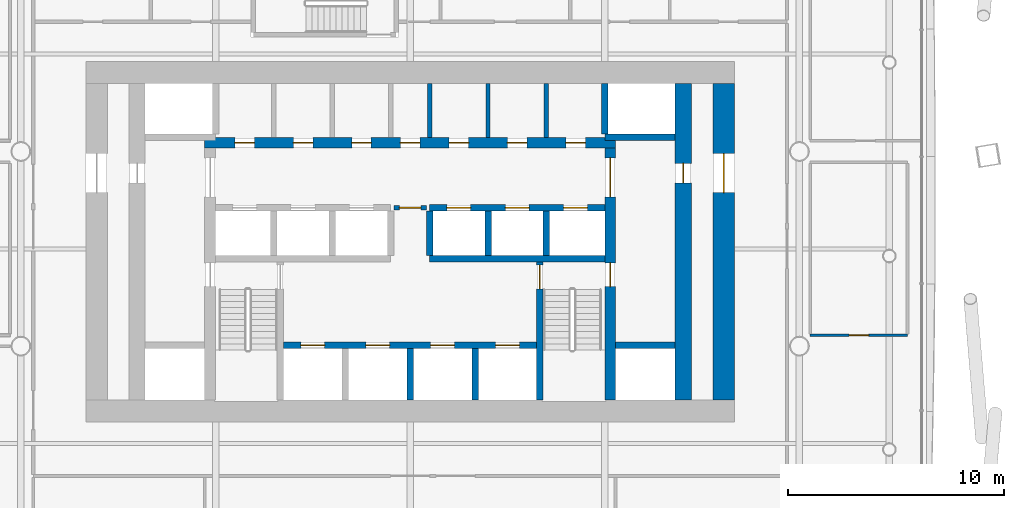
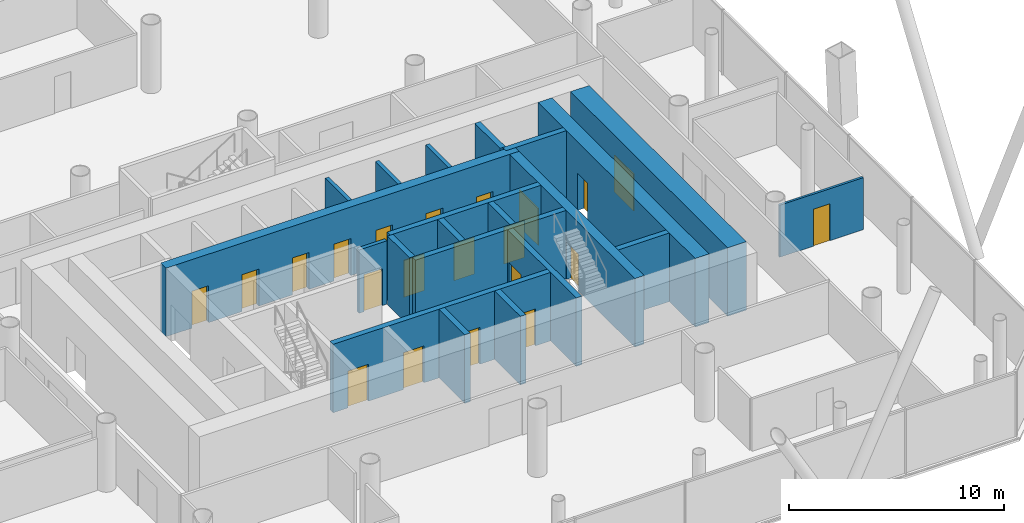
# One storey, part 18 of 25: 21 doors, 21 walls, 21 openings.
"""IFC4 building model written with IfcOpenShell, lengths in metres."""

from ifc_helpers import new_model, si_unit, direction, frame, frame_2d, origin, place, context, subcontext, project, spatial, rectangle, extrude, material, layer, layer_set, type_object, element, fill, save


model = new_model("IFC4")

# Units and contexts
model_context = context("Model", 3, precision=1e-05, world=origin(), true_north=direction((0.0, 1.0)))
body_context = subcontext(model_context, "Body", "Model", "MODEL_VIEW")
ifc_project = project(units=[si_unit("LENGTHUNIT", "METRE"), si_unit("AREAUNIT", "SQUARE_METRE"), si_unit("VOLUMEUNIT", "CUBIC_METRE"), si_unit("PLANEANGLEUNIT", "RADIAN"), si_unit("MASSUNIT", "GRAM", prefix="KILO")], contexts=[model_context])

# Site, building, storey
site_placement = place(None, origin())
site = spatial("IfcSite", under=ifc_project, at=site_placement, CompositionType="ELEMENT")
building_placement = place(site_placement, origin())
building = spatial("IfcBuilding", under=site, at=building_placement, Name="Tskaro Facet Tower", CompositionType="ELEMENT")
storey_placement = place(building_placement, frame((0.0, 0.0, 34.199951171875)))
storey = spatial("IfcBuildingStorey", under=building, at=storey_placement, Name="L07", CompositionType="ELEMENT", Elevation=34.199951171875)

# Wall, openings, doors
ifc_material_1 = material(Name="Concrete C60/75", Category="concrete")
ifc_layer_1 = layer(ifc_material_1, 0.300048828125, Name="Concrete C60/75")
ifc_layer_set_1 = layer_set([ifc_layer_1], Name="Concrete C60/75")
wall_type_1 = type_object("IfcWallType", Name="CORE-SHAFT", PredefinedType="SHEAR", material=ifc_layer_set_1)
wall_1_placement = place(storey_placement, frame((-5.85009765625, -8.949951171875, 0.0), z_axis=(0.0, 0.0, 1.0), x_axis=(1.0, 0.0, 0.0)))
wall_1 = element("IfcWall", 1, at=wall_1_placement, inside=storey, type_object=wall_type_1, Name="Shaft wall W006", PredefinedType="SHEAR", context=body_context, shape_type="SweptSolid", body=[
    extrude(rectangle(XDim=11.7001953125, YDim=0.300048828125, at=frame_2d((5.85009765625, 0.0))), origin(), (0.0, 0.0, 1.0), 3.900146484375),
])
opening_1_placement = place(wall_1_placement, frame((0.800048828125, 0.0, 0.0)))
opening_1 = element("IfcOpeningElement", 2, at=opening_1_placement, cuts=wall_1, Name="Opening LD-FF1", PredefinedType="OPENING", context=body_context, shape_type="SweptSolid", body=[
    extrude(rectangle(XDim=1.10009765625, YDim=2.10009765625, at=frame_2d((0.550048828125, 1.050048828125))), frame((0.0, 0.159912109375, 0.0), z_axis=(0.0, -1.0, 0.0), x_axis=(1.0, 0.0, 0.0)), (0.0, 0.0, 1.0), 0.320068359375),
])
opening_2_placement = place(wall_1_placement, frame((3.800048828125, 0.0, 0.0)))
opening_2 = element("IfcOpeningElement", 3, at=opening_2_placement, cuts=wall_1, Name="Opening LD-FF2", PredefinedType="OPENING", context=body_context, shape_type="SweptSolid", body=[
    extrude(rectangle(XDim=1.10009765625, YDim=2.10009765625, at=frame_2d((0.550048828125, 1.050048828125))), frame((0.0, 0.159912109375, 0.0), z_axis=(0.0, -1.0, 0.0), x_axis=(1.0, 0.0, 0.0)), (0.0, 0.0, 1.0), 0.320068359375),
])
opening_3_placement = place(wall_1_placement, frame((6.800048828125, 0.0, 0.0)))
opening_3 = element("IfcOpeningElement", 4, at=opening_3_placement, cuts=wall_1, Name="Opening LD-SV1", PredefinedType="OPENING", context=body_context, shape_type="SweptSolid", body=[
    extrude(rectangle(XDim=1.10009765625, YDim=2.10009765625, at=frame_2d((0.550048828125, 1.050048828125))), frame((0.0, 0.159912109375, 0.0), z_axis=(0.0, -1.0, 0.0), x_axis=(1.0, 0.0, 0.0)), (0.0, 0.0, 1.0), 0.320068359375),
])
opening_4_placement = place(wall_1_placement, frame((9.800048828125, 0.0, 0.0)))
opening_4 = element("IfcOpeningElement", 5, at=opening_4_placement, cuts=wall_1, Name="Opening LD-SV2", PredefinedType="OPENING", context=body_context, shape_type="SweptSolid", body=[
    extrude(rectangle(XDim=1.10009765625, YDim=2.10009765625, at=frame_2d((0.550048828125, 1.050048828125))), frame((0.0, 0.159912109375, 0.0), z_axis=(0.0, -1.0, 0.0), x_axis=(1.0, 0.0, 0.0)), (0.0, 0.0, 1.0), 0.320068359375),
])
ifc_material_2 = material(Name="Stainless steel", Category="steel")
door_type_1 = type_object("IfcDoorType", Name="D-LANDING", OperationType="NOTDEFINED", PredefinedType="DOOR", material=ifc_material_2)
door_1_placement = place(opening_1_placement, origin())
door_1 = element("IfcDoor", 6, at=door_1_placement, inside=storey, type_object=door_type_1, Name="Landing door FF1", OperationType="DOUBLE_DOOR_SLIDING", OverallHeight=2.10009765625, OverallWidth=1.10009765625, PredefinedType="DOOR", context=body_context, shape_type="SweptSolid", body=[
    extrude(rectangle(XDim=1.10009765625, YDim=2.10009765625, at=frame_2d((0.550048828125, 1.050048828125))), frame((0.0, 0.02490234375, 0.0), z_axis=(0.0, -1.0, 0.0), x_axis=(1.0, 0.0, 0.0)), (0.0, 0.0, 1.0), 0.050048828125),
])
fill(opening_1, door_1)
door_2_placement = place(opening_2_placement, origin())
door_2 = element("IfcDoor", 7, at=door_2_placement, inside=storey, type_object=door_type_1, Name="Landing door FF2", OperationType="DOUBLE_DOOR_SLIDING", OverallHeight=2.10009765625, OverallWidth=1.10009765625, PredefinedType="DOOR", context=body_context, shape_type="SweptSolid", body=[
    extrude(rectangle(XDim=1.10009765625, YDim=2.10009765625, at=frame_2d((0.550048828125, 1.050048828125))), frame((0.0, 0.02490234375, 0.0), z_axis=(0.0, -1.0, 0.0), x_axis=(1.0, 0.0, 0.0)), (0.0, 0.0, 1.0), 0.050048828125),
])
fill(opening_2, door_2)
door_3_placement = place(opening_3_placement, origin())
door_3 = element("IfcDoor", 8, at=door_3_placement, inside=storey, type_object=door_type_1, Name="Landing door SV1", OperationType="DOUBLE_DOOR_SLIDING", OverallHeight=2.10009765625, OverallWidth=1.10009765625, PredefinedType="DOOR", context=body_context, shape_type="SweptSolid", body=[
    extrude(rectangle(XDim=1.10009765625, YDim=2.10009765625, at=frame_2d((0.550048828125, 1.050048828125))), frame((0.0, 0.02490234375, 0.0), z_axis=(0.0, -1.0, 0.0), x_axis=(1.0, 0.0, 0.0)), (0.0, 0.0, 1.0), 0.050048828125),
])
fill(opening_3, door_3)
door_4_placement = place(opening_4_placement, origin())
door_4 = element("IfcDoor", 9, at=door_4_placement, inside=storey, type_object=door_type_1, Name="Landing door SV2", OperationType="DOUBLE_DOOR_SLIDING", OverallHeight=2.10009765625, OverallWidth=1.10009765625, PredefinedType="DOOR", context=body_context, shape_type="SweptSolid", body=[
    extrude(rectangle(XDim=1.10009765625, YDim=2.10009765625, at=frame_2d((0.550048828125, 1.050048828125))), frame((0.0, 0.02490234375, 0.0), z_axis=(0.0, -1.0, 0.0), x_axis=(1.0, 0.0, 0.0)), (0.0, 0.0, 1.0), 0.050048828125),
])
fill(opening_4, door_4)

# Walls
wall_2_placement = place(storey_placement, frame((9.5, -8.949951171875, 0.0), z_axis=(0.0, 0.0, 1.0), x_axis=(1.0, 0.0, 0.0)))
element("IfcWall", 10, at=wall_2_placement, inside=storey, type_object=wall_type_1, Name="Shaft wall W007", PredefinedType="SHEAR", context=body_context, shape_type="SweptSolid", body=[
    extrude(rectangle(XDim=2.75, YDim=0.300048828125, at=frame_2d((1.375, 0.0))), origin(), (0.0, 0.0, 1.0), 3.900146484375),
])
wall_3_placement = place(storey_placement, frame((0.89990234375, -4.949951171875, 0.0), z_axis=(0.0, 0.0, 1.0), x_axis=(1.0, 0.0, 0.0)))
element("IfcWall", 11, at=wall_3_placement, inside=storey, type_object=wall_type_1, Name="Shaft wall W011", PredefinedType="SHEAR", context=body_context, shape_type="SweptSolid", body=[
    extrude(rectangle(XDim=8.10009765625, YDim=0.300048828125, at=frame_2d((4.050048828125, 0.0))), origin(), (0.0, 0.0, 1.0), 3.900146484375),
])

# Wall, openings, doors
wall_4_placement = place(storey_placement, frame((0.89990234375, -2.60009765625, 0.0), z_axis=(0.0, 0.0, 1.0), x_axis=(1.0, 0.0, 0.0)))
wall_4 = element("IfcWall", 12, at=wall_4_placement, inside=storey, type_object=wall_type_1, Name="Shaft wall W014", PredefinedType="SHEAR", context=body_context, shape_type="SweptSolid", body=[
    extrude(rectangle(XDim=8.10009765625, YDim=0.300048828125, at=frame_2d((4.050048828125, 0.0))), origin(), (0.0, 0.0, 1.0), 3.900146484375),
])
opening_5_placement = place(wall_4_placement, frame((0.800048828125, 0.0, 0.0)))
opening_5 = element("IfcOpeningElement", 13, at=opening_5_placement, cuts=wall_4, Name="Opening LD-LR4", PredefinedType="OPENING", context=body_context, shape_type="SweptSolid", body=[
    extrude(rectangle(XDim=1.10009765625, YDim=2.10009765625, at=frame_2d((0.550048828125, 1.050048828125))), frame((0.0, 0.159912109375, 0.0), z_axis=(0.0, -1.0, 0.0), x_axis=(1.0, 0.0, 0.0)), (0.0, 0.0, 1.0), 0.320068359375),
])
opening_6_placement = place(wall_4_placement, frame((3.5, 0.0, 0.0)))
opening_6 = element("IfcOpeningElement", 14, at=opening_6_placement, cuts=wall_4, Name="Opening LD-LR5", PredefinedType="OPENING", context=body_context, shape_type="SweptSolid", body=[
    extrude(rectangle(XDim=1.10009765625, YDim=2.10009765625, at=frame_2d((0.550048828125, 1.050048828125))), frame((0.0, 0.159912109375, 0.0), z_axis=(0.0, -1.0, 0.0), x_axis=(1.0, 0.0, 0.0)), (0.0, 0.0, 1.0), 0.320068359375),
])
opening_7_placement = place(wall_4_placement, frame((6.199951171875, 0.0, 0.0)))
opening_7 = element("IfcOpeningElement", 15, at=opening_7_placement, cuts=wall_4, Name="Opening LD-LR6", PredefinedType="OPENING", context=body_context, shape_type="SweptSolid", body=[
    extrude(rectangle(XDim=1.10009765625, YDim=2.10009765625, at=frame_2d((0.550048828125, 1.050048828125))), frame((0.0, 0.159912109375, 0.0), z_axis=(0.0, -1.0, 0.0), x_axis=(1.0, 0.0, 0.0)), (0.0, 0.0, 1.0), 0.320068359375),
])
door_5_placement = place(opening_5_placement, origin())
door_5 = element("IfcDoor", 16, at=door_5_placement, inside=storey, type_object=door_type_1, Name="Landing door LR4", OperationType="DOUBLE_DOOR_SLIDING", OverallHeight=2.10009765625, OverallWidth=1.10009765625, PredefinedType="DOOR", context=body_context, shape_type="SweptSolid", body=[
    extrude(rectangle(XDim=1.10009765625, YDim=2.10009765625, at=frame_2d((0.550048828125, 1.050048828125))), frame((0.0, 0.02490234375, 0.0), z_axis=(0.0, -1.0, 0.0), x_axis=(1.0, 0.0, 0.0)), (0.0, 0.0, 1.0), 0.050048828125),
])
fill(opening_5, door_5)
door_6_placement = place(opening_6_placement, origin())
door_6 = element("IfcDoor", 17, at=door_6_placement, inside=storey, type_object=door_type_1, Name="Landing door LR5", OperationType="DOUBLE_DOOR_SLIDING", OverallHeight=2.10009765625, OverallWidth=1.10009765625, PredefinedType="DOOR", context=body_context, shape_type="SweptSolid", body=[
    extrude(rectangle(XDim=1.10009765625, YDim=2.10009765625, at=frame_2d((0.550048828125, 1.050048828125))), frame((0.0, 0.02490234375, 0.0), z_axis=(0.0, -1.0, 0.0), x_axis=(1.0, 0.0, 0.0)), (0.0, 0.0, 1.0), 0.050048828125),
])
fill(opening_6, door_6)
door_7_placement = place(opening_7_placement, origin())
door_7 = element("IfcDoor", 18, at=door_7_placement, inside=storey, type_object=door_type_1, Name="Landing door LR6", OperationType="DOUBLE_DOOR_SLIDING", OverallHeight=2.10009765625, OverallWidth=1.10009765625, PredefinedType="DOOR", context=body_context, shape_type="SweptSolid", body=[
    extrude(rectangle(XDim=1.10009765625, YDim=2.10009765625, at=frame_2d((0.550048828125, 1.050048828125))), frame((0.0, 0.02490234375, 0.0), z_axis=(0.0, -1.0, 0.0), x_axis=(1.0, 0.0, 0.0)), (0.0, 0.0, 1.0), 0.050048828125),
])
fill(opening_7, door_7)

# Walls
wall_5_placement = place(storey_placement, frame((12.25, 0.64990234375, 0.0), z_axis=(0.0, 0.0, 1.0), x_axis=(-1.0, 0.0, 0.0)))
element("IfcWall", 19, at=wall_5_placement, inside=storey, type_object=wall_type_1, Name="Shaft wall W020", PredefinedType="SHEAR", context=body_context, shape_type="SweptSolid", body=[
    extrude(rectangle(XDim=3.25, YDim=0.300048828125, at=frame_2d((1.625, 0.0))), origin(), (0.0, 0.0, 1.0), 3.900146484375),
])
wall_6_placement = place(storey_placement, frame((0.0, -11.5, 0.0), z_axis=(0.0, 0.0, 1.0), x_axis=(0.0, 1.0, 0.0)))
element("IfcWall", 20, at=wall_6_placement, inside=storey, type_object=wall_type_1, Name="Shaft wall W059", PredefinedType="SHEAR", context=body_context, shape_type="SweptSolid", body=[
    extrude(rectangle(XDim=2.39990234375, YDim=0.300048828125, at=frame_2d((1.199951171875, 0.0))), origin(), (0.0, 0.0, 1.0), 3.900146484375),
])
wall_7_placement = place(storey_placement, frame((0.89990234375, -4.800048828125, 0.0), z_axis=(0.0, 0.0, 1.0), x_axis=(0.0, 1.0, 0.0)))
element("IfcWall", 21, at=wall_7_placement, inside=storey, type_object=wall_type_1, Name="Shaft wall W060", PredefinedType="SHEAR", context=body_context, shape_type="SweptSolid", body=[
    extrude(rectangle(XDim=2.050048828125, YDim=0.300048828125, at=frame_2d((1.02490234375, 0.0))), origin(), (0.0, 0.0, 1.0), 3.900146484375),
])
wall_8_placement = place(storey_placement, frame((3.0, -11.5, 0.0), z_axis=(0.0, 0.0, 1.0), x_axis=(0.0, 1.0, 0.0)))
element("IfcWall", 22, at=wall_8_placement, inside=storey, type_object=wall_type_1, Name="Shaft wall W063", PredefinedType="SHEAR", context=body_context, shape_type="SweptSolid", body=[
    extrude(rectangle(XDim=2.39990234375, YDim=0.300048828125, at=frame_2d((1.199951171875, 0.0))), origin(), (0.0, 0.0, 1.0), 3.900146484375),
])
wall_9_placement = place(storey_placement, frame((3.60009765625, -4.800048828125, 0.0), z_axis=(0.0, 0.0, 1.0), x_axis=(0.0, 1.0, 0.0)))
element("IfcWall", 23, at=wall_9_placement, inside=storey, type_object=wall_type_1, Name="Shaft wall W064", PredefinedType="SHEAR", context=body_context, shape_type="SweptSolid", body=[
    extrude(rectangle(XDim=2.050048828125, YDim=0.300048828125, at=frame_2d((1.02490234375, 0.0))), origin(), (0.0, 0.0, 1.0), 3.900146484375),
])

# Wall, opening, door
wall_10_placement = place(storey_placement, frame((6.0, -5.10009765625, 0.0), z_axis=(0.0, 0.0, 1.0), x_axis=(0.0, -1.0, 0.0)))
wall_10 = element("IfcWall", 24, at=wall_10_placement, inside=storey, type_object=wall_type_1, Name="Shaft wall W066", PredefinedType="SHEAR", context=body_context, shape_type="SweptSolid", body=[
    extrude(rectangle(XDim=6.39990234375, YDim=0.300048828125, at=frame_2d((3.199951171875, 0.0))), origin(), (0.0, 0.0, 1.0), 3.900146484375),
])
opening_8_placement = place(wall_10_placement, frame((0.14990234375, 0.0, 0.0)))
opening_8 = element("IfcOpeningElement", 25, at=opening_8_placement, cuts=wall_10, Name="Opening ST-2-D1", PredefinedType="OPENING", context=body_context, shape_type="SweptSolid", body=[
    extrude(rectangle(XDim=1.10009765625, YDim=2.10009765625, at=frame_2d((0.550048828125, 1.050048828125))), frame((0.0, 0.159912109375, 0.0), z_axis=(0.0, -1.0, 0.0), x_axis=(1.0, 0.0, 0.0)), (0.0, 0.0, 1.0), 0.320068359375),
])
ifc_material_3 = material(Name="Steel", Category="steel")
door_type_2 = type_object("IfcDoorType", Name="D-STAIR", OperationType="NOTDEFINED", PredefinedType="DOOR", material=ifc_material_3)
door_8_placement = place(opening_8_placement, origin())
door_8 = element("IfcDoor", 26, at=door_8_placement, inside=storey, type_object=door_type_2, Name="Stair door 2", OperationType="SINGLE_SWING_RIGHT", OverallHeight=2.10009765625, OverallWidth=1.10009765625, PredefinedType="DOOR", context=body_context, shape_type="SweptSolid", body=[
    extrude(rectangle(XDim=1.10009765625, YDim=2.10009765625, at=frame_2d((0.550048828125, 1.050048828125))), frame((0.0, 0.02490234375, 0.0), z_axis=(0.0, -1.0, 0.0), x_axis=(1.0, 0.0, 0.0)), (0.0, 0.0, 1.0), 0.050048828125),
])
fill(opening_8, door_8)

# Walls
wall_11_placement = place(storey_placement, frame((6.300048828125, -4.800048828125, 0.0), z_axis=(0.0, 0.0, 1.0), x_axis=(0.0, 1.0, 0.0)))
element("IfcWall", 27, at=wall_11_placement, inside=storey, type_object=wall_type_1, Name="Shaft wall W067", PredefinedType="SHEAR", context=body_context, shape_type="SweptSolid", body=[
    extrude(rectangle(XDim=2.050048828125, YDim=0.300048828125, at=frame_2d((1.02490234375, 0.0))), origin(), (0.0, 0.0, 1.0), 3.900146484375),
])
wall_12_placement = place(storey_placement, frame((9.0, 0.800048828125, 0.0), z_axis=(0.0, 0.0, 1.0), x_axis=(0.0, 1.0, 0.0)))
element("IfcWall", 28, at=wall_12_placement, inside=storey, type_object=wall_type_1, Name="Shaft wall W070", PredefinedType="SHEAR", context=body_context, shape_type="SweptSolid", body=[
    extrude(rectangle(XDim=2.349853515625, YDim=0.300048828125, at=frame_2d((1.1748046875, 0.0))), origin(), (0.0, 0.0, 1.0), 3.900146484375),
])

# Wall, opening, door
ifc_material_4 = material(Name="Concrete C20/25", Category="concrete")
ifc_layer_2 = layer(ifc_material_4, 0.199951171875, Name="Concrete C20/25")
ifc_layer_set_2 = layer_set([ifc_layer_2], Name="Concrete C20/25")
wall_type_2 = type_object("IfcWallType", Name="CORE-WALL", PredefinedType="SOLIDWALL", material=ifc_layer_set_2)
wall_13_placement = place(storey_placement, frame((0.75, -2.60009765625, 0.0), z_axis=(0.0, 0.0, 1.0), x_axis=(-1.0, 0.0, 0.0)))
wall_13 = element("IfcWall", 29, at=wall_13_placement, inside=storey, type_object=wall_type_2, Name="Core room wall W013", PredefinedType="SOLIDWALL", context=body_context, shape_type="SweptSolid", body=[
    extrude(rectangle(XDim=1.5, YDim=0.199951171875, at=frame_2d((0.75, 0.0))), origin(), (0.0, 0.0, 1.0), 3.60009765625),
])
opening_9_placement = place(wall_13_placement, frame((0.25, 0.0, 0.0)))
opening_9 = element("IfcOpeningElement", 30, at=opening_9_placement, cuts=wall_13, Name="Opening FL-D1", PredefinedType="OPENING", context=body_context, shape_type="SweptSolid", body=[
    extrude(rectangle(XDim=1.0, YDim=2.10009765625, at=frame_2d((0.5, 1.050048828125))), frame((0.0, 0.10986328125, 0.0), z_axis=(0.0, -1.0, 0.0), x_axis=(1.0, 0.0, 0.0)), (0.0, 0.0, 1.0), 0.219970703125),
])
door_type_3 = type_object("IfcDoorType", Name="D-LOBBY", OperationType="NOTDEFINED", PredefinedType="DOOR", material=ifc_material_3)
door_9_placement = place(opening_9_placement, origin())
door_9 = element("IfcDoor", 31, at=door_9_placement, inside=storey, type_object=door_type_3, Name="Lobby door FL", OperationType="SINGLE_SWING_RIGHT", OverallHeight=2.10009765625, OverallWidth=1.0, PredefinedType="DOOR", context=body_context, shape_type="SweptSolid", body=[
    extrude(rectangle(XDim=1.0, YDim=2.10009765625, at=frame_2d((0.5, 1.050048828125))), frame((0.0, 0.02490234375, 0.0), z_axis=(0.0, -1.0, 0.0), x_axis=(1.0, 0.0, 0.0)), (0.0, 0.0, 1.0), 0.050048828125),
])
fill(opening_9, door_9)

# Walls
for number, where, z_axis, x_axis, name in (
    (32, (0.89990234375, 0.64990234375, 0.0), (0.0, 0.0, 1.0), (0.0, 1.0, 0.0), "Core room wall W061"),
    (33, (3.60009765625, 0.64990234375, 0.0), (0.0, 0.0, 1.0), (0.0, 1.0, 0.0), "Core room wall W065"),
    (34, (6.300048828125, 0.64990234375, 0.0), (0.0, 0.0, 1.0), (0.0, 1.0, 0.0), "Core room wall W068"),
):
    element("IfcWall", number, at=place(storey_placement, frame(where, z_axis=z_axis, x_axis=x_axis)), inside=storey, type_object=wall_type_2, Name=name, PredefinedType="SOLIDWALL", context=body_context, shape_type="SweptSolid", body=[
        extrude(rectangle(XDim=2.5, YDim=0.199951171875, at=frame_2d((1.25, 0.0))), origin(), (0.0, 0.0, 1.0), 3.60009765625),
    ])

# Wall, opening, door
ifc_layer_3 = layer(ifc_material_1, 1.0, Name="Concrete C60/75")
ifc_layer_set_3 = layer_set([ifc_layer_3], Name="Concrete C60/75")
wall_type_3 = type_object("IfcWallType", Name="Core wall 1000", PredefinedType="SHEAR", material=ifc_layer_set_3)
wall_14_placement = place(storey_placement, frame((14.5, -11.5, 0.0), z_axis=(0.0, 0.0, 1.0), x_axis=(0.0, 1.0, 0.0)))
wall_14 = element("IfcWall", 35, at=wall_14_placement, inside=storey, type_object=wall_type_3, Name="Core wall CW-Z1E", PredefinedType="SHEAR", context=body_context, shape_type="SweptSolid", body=[
    extrude(rectangle(XDim=14.64990234375, YDim=1.0, at=frame_2d((7.324951171875, 0.0))), origin(), (0.0, 0.0, 1.0), 3.900146484375),
])
opening_10_placement = place(wall_14_placement, frame((9.60009765625, 0.0, 0.0)))
opening_10 = element("IfcOpeningElement", 36, at=opening_10_placement, cuts=wall_14, Name="Opening T2-D19", PredefinedType="OPENING", context=body_context, shape_type="SweptSolid", body=[
    extrude(rectangle(XDim=1.800048828125, YDim=2.10009765625, at=frame_2d((0.89990234375, 1.050048828125))), frame((0.0, 0.510009765625, 0.0), z_axis=(0.0, -1.0, 0.0), x_axis=(1.0, 0.0, 0.0)), (0.0, 0.0, 1.0), 1.02001953125),
])
door_type_4 = type_object("IfcDoorType", Name="D-CORE-PAIR", OperationType="NOTDEFINED", PredefinedType="DOOR", material=ifc_material_3)
door_10_placement = place(opening_10_placement, origin())
door_10 = element("IfcDoor", 37, at=door_10_placement, inside=storey, type_object=door_type_4, Name="Door T2-D19", OperationType="DOUBLE_DOOR_SINGLE_SWING", OverallHeight=2.10009765625, OverallWidth=1.800048828125, PredefinedType="DOOR", context=body_context, shape_type="SweptSolid", body=[
    extrude(rectangle(XDim=1.800048828125, YDim=2.10009765625, at=frame_2d((0.89990234375, 1.050048828125))), frame((0.0, 0.02490234375, 0.0), z_axis=(0.0, -1.0, 0.0), x_axis=(1.0, 0.0, 0.0)), (0.0, 0.0, 1.0), 0.050048828125),
])
fill(opening_10, door_10)

# Wall, openings, doors
ifc_material_5 = material(Name="Concrete C40/50", Category="concrete")
ifc_layer_4 = layer(ifc_material_5, 0.5, Name="Concrete C40/50")
ifc_layer_set_4 = layer_set([ifc_layer_4], Name="Concrete C40/50")
wall_type_4 = type_object("IfcWallType", Name="Core wall 500", PredefinedType="SHEAR", material=ifc_layer_set_4)
wall_15_placement = place(storey_placement, frame((-9.5, 0.39990234375, 0.0), z_axis=(0.0, 0.0, 1.0), x_axis=(1.0, 0.0, 0.0)))
wall_15 = element("IfcWall", 38, at=wall_15_placement, inside=storey, type_object=wall_type_4, Name="Core wall CW-Z3N", PredefinedType="SHEAR", context=body_context, shape_type="SweptSolid", body=[
    extrude(rectangle(XDim=19.0, YDim=0.5, at=frame_2d((9.5, 0.0))), origin(), (0.0, 0.0, 1.0), 3.900146484375),
])
opening_11_placement = place(wall_15_placement, frame((1.39990234375, 0.0, 0.0)))
opening_11 = element("IfcOpeningElement", 39, at=opening_11_placement, cuts=wall_15, Name="Opening T2-D20", PredefinedType="OPENING", context=body_context, shape_type="SweptSolid", body=[
    extrude(rectangle(XDim=0.89990234375, YDim=2.10009765625, at=frame_2d((0.449951171875, 1.050048828125))), frame((0.0, 0.260009765625, 0.0), z_axis=(0.0, -1.0, 0.0), x_axis=(1.0, 0.0, 0.0)), (0.0, 0.0, 1.0), 0.52001953125),
])
opening_12_placement = place(wall_15_placement, frame((4.10009765625, 0.0, 0.0)))
opening_12 = element("IfcOpeningElement", 40, at=opening_12_placement, cuts=wall_15, Name="Opening T2-D21", PredefinedType="OPENING", context=body_context, shape_type="SweptSolid", body=[
    extrude(rectangle(XDim=0.89990234375, YDim=2.10009765625, at=frame_2d((0.449951171875, 1.050048828125))), frame((0.0, 0.260009765625, 0.0), z_axis=(0.0, -1.0, 0.0), x_axis=(1.0, 0.0, 0.0)), (0.0, 0.0, 1.0), 0.52001953125),
])
opening_13_placement = place(wall_15_placement, frame((6.800048828125, 0.0, 0.0)))
opening_13 = element("IfcOpeningElement", 41, at=opening_13_placement, cuts=wall_15, Name="Opening T2-D22", PredefinedType="OPENING", context=body_context, shape_type="SweptSolid", body=[
    extrude(rectangle(XDim=0.89990234375, YDim=2.10009765625, at=frame_2d((0.449951171875, 1.050048828125))), frame((0.0, 0.260009765625, 0.0), z_axis=(0.0, -1.0, 0.0), x_axis=(1.0, 0.0, 0.0)), (0.0, 0.0, 1.0), 0.52001953125),
])
opening_14_placement = place(wall_15_placement, frame((11.300048828125, 0.0, 0.0)))
opening_14 = element("IfcOpeningElement", 42, at=opening_14_placement, cuts=wall_15, Name="Opening T2-D24", PredefinedType="OPENING", context=body_context, shape_type="SweptSolid", body=[
    extrude(rectangle(XDim=0.89990234375, YDim=2.10009765625, at=frame_2d((0.449951171875, 1.050048828125))), frame((0.0, 0.260009765625, 0.0), z_axis=(0.0, -1.0, 0.0), x_axis=(1.0, 0.0, 0.0)), (0.0, 0.0, 1.0), 0.52001953125),
])
opening_15_placement = place(wall_15_placement, frame((14.0, 0.0, 0.0)))
opening_15 = element("IfcOpeningElement", 43, at=opening_15_placement, cuts=wall_15, Name="Opening T2-D25", PredefinedType="OPENING", context=body_context, shape_type="SweptSolid", body=[
    extrude(rectangle(XDim=0.89990234375, YDim=2.10009765625, at=frame_2d((0.449951171875, 1.050048828125))), frame((0.0, 0.260009765625, 0.0), z_axis=(0.0, -1.0, 0.0), x_axis=(1.0, 0.0, 0.0)), (0.0, 0.0, 1.0), 0.52001953125),
])
opening_16_placement = place(wall_15_placement, frame((16.699951171875, 0.0, 0.0)))
opening_16 = element("IfcOpeningElement", 44, at=opening_16_placement, cuts=wall_15, Name="Opening T2-D26", PredefinedType="OPENING", context=body_context, shape_type="SweptSolid", body=[
    extrude(rectangle(XDim=0.89990234375, YDim=2.10009765625, at=frame_2d((0.449951171875, 1.050048828125))), frame((0.0, 0.260009765625, 0.0), z_axis=(0.0, -1.0, 0.0), x_axis=(1.0, 0.0, 0.0)), (0.0, 0.0, 1.0), 0.52001953125),
])
opening_17_placement = place(wall_15_placement, frame((9.050048828125, 0.0, 0.0)))
opening_17 = element("IfcOpeningElement", 45, at=opening_17_placement, cuts=wall_15, Name="Opening T2-D23", PredefinedType="OPENING", context=body_context, shape_type="SweptSolid", body=[
    extrude(rectangle(XDim=0.89990234375, YDim=2.10009765625, at=frame_2d((0.449951171875, 1.050048828125))), frame((0.0, 0.260009765625, 0.0), z_axis=(0.0, -1.0, 0.0), x_axis=(1.0, 0.0, 0.0)), (0.0, 0.0, 1.0), 0.52001953125),
])
door_type_5 = type_object("IfcDoorType", Name="D-RISER", OperationType="NOTDEFINED", PredefinedType="DOOR", material=ifc_material_3)
door_11_placement = place(opening_17_placement, origin())
door_11 = element("IfcDoor", 46, at=door_11_placement, inside=storey, type_object=door_type_5, Name="Door T2-D23", OperationType="SINGLE_SWING_LEFT", OverallHeight=2.10009765625, OverallWidth=0.89990234375, PredefinedType="DOOR", context=body_context, shape_type="SweptSolid", body=[
    extrude(rectangle(XDim=0.89990234375, YDim=2.10009765625, at=frame_2d((0.449951171875, 1.050048828125))), frame((0.0, 0.02490234375, 0.0), z_axis=(0.0, -1.0, 0.0), x_axis=(1.0, 0.0, 0.0)), (0.0, 0.0, 1.0), 0.050048828125),
])
fill(opening_17, door_11)
ifc_material_6 = material(Name="Timber", Category="wood")
door_type_6 = type_object("IfcDoorType", Name="D-ROOM", OperationType="NOTDEFINED", PredefinedType="DOOR", material=ifc_material_6)
door_12_placement = place(opening_11_placement, origin())
door_12 = element("IfcDoor", 47, at=door_12_placement, inside=storey, type_object=door_type_6, Name="Door T2-D20", OperationType="SINGLE_SWING_LEFT", OverallHeight=2.10009765625, OverallWidth=0.89990234375, PredefinedType="DOOR", context=body_context, shape_type="SweptSolid", body=[
    extrude(rectangle(XDim=0.89990234375, YDim=2.10009765625, at=frame_2d((0.449951171875, 1.050048828125))), frame((0.0, 0.02490234375, 0.0), z_axis=(0.0, -1.0, 0.0), x_axis=(1.0, 0.0, 0.0)), (0.0, 0.0, 1.0), 0.050048828125),
])
fill(opening_11, door_12)
door_13_placement = place(opening_12_placement, origin())
door_13 = element("IfcDoor", 48, at=door_13_placement, inside=storey, type_object=door_type_6, Name="Door T2-D21", OperationType="SINGLE_SWING_LEFT", OverallHeight=2.10009765625, OverallWidth=0.89990234375, PredefinedType="DOOR", context=body_context, shape_type="SweptSolid", body=[
    extrude(rectangle(XDim=0.89990234375, YDim=2.10009765625, at=frame_2d((0.449951171875, 1.050048828125))), frame((0.0, 0.02490234375, 0.0), z_axis=(0.0, -1.0, 0.0), x_axis=(1.0, 0.0, 0.0)), (0.0, 0.0, 1.0), 0.050048828125),
])
fill(opening_12, door_13)
door_14_placement = place(opening_13_placement, origin())
door_14 = element("IfcDoor", 49, at=door_14_placement, inside=storey, type_object=door_type_6, Name="Door T2-D22", OperationType="SINGLE_SWING_LEFT", OverallHeight=2.10009765625, OverallWidth=0.89990234375, PredefinedType="DOOR", context=body_context, shape_type="SweptSolid", body=[
    extrude(rectangle(XDim=0.89990234375, YDim=2.10009765625, at=frame_2d((0.449951171875, 1.050048828125))), frame((0.0, 0.02490234375, 0.0), z_axis=(0.0, -1.0, 0.0), x_axis=(1.0, 0.0, 0.0)), (0.0, 0.0, 1.0), 0.050048828125),
])
fill(opening_13, door_14)
door_15_placement = place(opening_14_placement, origin())
door_15 = element("IfcDoor", 50, at=door_15_placement, inside=storey, type_object=door_type_6, Name="Door T2-D24", OperationType="SINGLE_SWING_LEFT", OverallHeight=2.10009765625, OverallWidth=0.89990234375, PredefinedType="DOOR", context=body_context, shape_type="SweptSolid", body=[
    extrude(rectangle(XDim=0.89990234375, YDim=2.10009765625, at=frame_2d((0.449951171875, 1.050048828125))), frame((0.0, 0.02490234375, 0.0), z_axis=(0.0, -1.0, 0.0), x_axis=(1.0, 0.0, 0.0)), (0.0, 0.0, 1.0), 0.050048828125),
])
fill(opening_14, door_15)
door_16_placement = place(opening_15_placement, origin())
door_16 = element("IfcDoor", 51, at=door_16_placement, inside=storey, type_object=door_type_6, Name="Door T2-D25", OperationType="SINGLE_SWING_LEFT", OverallHeight=2.10009765625, OverallWidth=0.89990234375, PredefinedType="DOOR", context=body_context, shape_type="SweptSolid", body=[
    extrude(rectangle(XDim=0.89990234375, YDim=2.10009765625, at=frame_2d((0.449951171875, 1.050048828125))), frame((0.0, 0.02490234375, 0.0), z_axis=(0.0, -1.0, 0.0), x_axis=(1.0, 0.0, 0.0)), (0.0, 0.0, 1.0), 0.050048828125),
])
fill(opening_15, door_16)
door_17_placement = place(opening_16_placement, origin())
door_17 = element("IfcDoor", 52, at=door_17_placement, inside=storey, type_object=door_type_6, Name="Door T2-D26", OperationType="SINGLE_SWING_LEFT", OverallHeight=2.10009765625, OverallWidth=0.89990234375, PredefinedType="DOOR", context=body_context, shape_type="SweptSolid", body=[
    extrude(rectangle(XDim=0.89990234375, YDim=2.10009765625, at=frame_2d((0.449951171875, 1.050048828125))), frame((0.0, 0.02490234375, 0.0), z_axis=(0.0, -1.0, 0.0), x_axis=(1.0, 0.0, 0.0)), (0.0, 0.0, 1.0), 0.050048828125),
])
fill(opening_16, door_17)

wall_16_placement = place(storey_placement, frame((9.25, -11.5, 0.0), z_axis=(0.0, 0.0, 1.0), x_axis=(0.0, 1.0, 0.0)))
wall_16 = element("IfcWall", 53, at=wall_16_placement, inside=storey, type_object=wall_type_4, Name="Core wall CW-Z3E", PredefinedType="SHEAR", context=body_context, shape_type="SweptSolid", body=[
    extrude(rectangle(XDim=11.64990234375, YDim=0.5, at=frame_2d((5.824951171875, 0.0))), origin(), (0.0, 0.0, 1.0), 3.900146484375),
])
opening_18_placement = place(wall_16_placement, frame((9.39990234375, 0.0, 0.0)))
opening_18 = element("IfcOpeningElement", 54, at=opening_18_placement, cuts=wall_16, Name="Opening T2-D15", PredefinedType="OPENING", context=body_context, shape_type="SweptSolid", body=[
    extrude(rectangle(XDim=1.800048828125, YDim=2.10009765625, at=frame_2d((0.89990234375, 1.050048828125))), frame((0.0, 0.260009765625, 0.0), z_axis=(0.0, -1.0, 0.0), x_axis=(1.0, 0.0, 0.0)), (0.0, 0.0, 1.0), 0.52001953125),
])
opening_19_placement = place(wall_16_placement, frame((5.25, 0.0, 0.0)))
opening_19 = element("IfcOpeningElement", 55, at=opening_19_placement, cuts=wall_16, Name="Opening ST-2-D2", PredefinedType="OPENING", context=body_context, shape_type="SweptSolid", body=[
    extrude(rectangle(XDim=1.10009765625, YDim=2.10009765625, at=frame_2d((0.550048828125, 1.050048828125))), frame((0.0, 0.260009765625, 0.0), z_axis=(0.0, -1.0, 0.0), x_axis=(1.0, 0.0, 0.0)), (0.0, 0.0, 1.0), 0.52001953125),
])
door_18_placement = place(opening_18_placement, origin())
door_18 = element("IfcDoor", 56, at=door_18_placement, inside=storey, type_object=door_type_4, Name="Door T2-D15", OperationType="DOUBLE_DOOR_SINGLE_SWING", OverallHeight=2.10009765625, OverallWidth=1.800048828125, PredefinedType="DOOR", context=body_context, shape_type="SweptSolid", body=[
    extrude(rectangle(XDim=1.800048828125, YDim=2.10009765625, at=frame_2d((0.89990234375, 1.050048828125))), frame((0.0, 0.02490234375, 0.0), z_axis=(0.0, -1.0, 0.0), x_axis=(1.0, 0.0, 0.0)), (0.0, 0.0, 1.0), 0.050048828125),
])
fill(opening_18, door_18)
door_19_placement = place(opening_19_placement, origin())
door_19 = element("IfcDoor", 57, at=door_19_placement, inside=storey, type_object=door_type_2, Name="Stair door 2 east", OperationType="SINGLE_SWING_LEFT", OverallHeight=2.10009765625, OverallWidth=1.10009765625, PredefinedType="DOOR", context=body_context, shape_type="SweptSolid", body=[
    extrude(rectangle(XDim=1.10009765625, YDim=2.10009765625, at=frame_2d((0.550048828125, 1.050048828125))), frame((0.0, 0.02490234375, 0.0), z_axis=(0.0, -1.0, 0.0), x_axis=(1.0, 0.0, 0.0)), (0.0, 0.0, 1.0), 0.050048828125),
])
fill(opening_19, door_19)

# Wall, opening, door
ifc_material_7 = material(Name="Concrete C50/60", Category="concrete")
ifc_layer_5 = layer(ifc_material_7, 0.75, Name="Concrete C50/60")
ifc_layer_set_5 = layer_set([ifc_layer_5], Name="Concrete C50/60")
wall_type_5 = type_object("IfcWallType", Name="Core wall 750", PredefinedType="SHEAR", material=ifc_layer_set_5)
wall_17_placement = place(storey_placement, frame((12.625, -11.5, 0.0), z_axis=(0.0, 0.0, 1.0), x_axis=(0.0, 1.0, 0.0)))
wall_17 = element("IfcWall", 58, at=wall_17_placement, inside=storey, type_object=wall_type_5, Name="Core wall CW-Z2E", PredefinedType="SHEAR", context=body_context, shape_type="SweptSolid", body=[
    extrude(rectangle(XDim=14.64990234375, YDim=0.75, at=frame_2d((7.324951171875, 0.0))), origin(), (0.0, 0.0, 1.0), 3.900146484375),
])
opening_20_placement = place(wall_17_placement, frame((10.050048828125, 0.0, 0.0)))
opening_20 = element("IfcOpeningElement", 59, at=opening_20_placement, cuts=wall_17, Name="Opening T2-D18", PredefinedType="OPENING", context=body_context, shape_type="SweptSolid", body=[
    extrude(rectangle(XDim=0.89990234375, YDim=2.10009765625, at=frame_2d((0.449951171875, 1.050048828125))), frame((0.0, 0.385009765625, 0.0), z_axis=(0.0, -1.0, 0.0), x_axis=(1.0, 0.0, 0.0)), (0.0, 0.0, 1.0), 0.77001953125),
])
door_20_placement = place(opening_20_placement, origin())
door_20 = element("IfcDoor", 60, at=door_20_placement, inside=storey, type_object=door_type_6, Name="Door T2-D18", OperationType="SINGLE_SWING_LEFT", OverallHeight=2.10009765625, OverallWidth=0.89990234375, PredefinedType="DOOR", context=body_context, shape_type="SweptSolid", body=[
    extrude(rectangle(XDim=0.89990234375, YDim=2.10009765625, at=frame_2d((0.449951171875, 1.050048828125))), frame((0.0, 0.02490234375, 0.0), z_axis=(0.0, -1.0, 0.0), x_axis=(1.0, 0.0, 0.0)), (0.0, 0.0, 1.0), 0.050048828125),
])
fill(opening_20, door_20)

ifc_material_8 = material(Name="Gypsum board on steel studs", Category="steel")
ifc_layer_6 = layer(ifc_material_8, 0.125, Name="Gypsum board on steel studs")
ifc_layer_set_6 = layer_set([ifc_layer_6], Name="Gypsum board on steel studs")
wall_type_6 = type_object("IfcWallType", Name="PART", PredefinedType="PARTITIONING", material=ifc_layer_set_6)
wall_18_placement = place(storey_placement, frame((18.5, -8.5, 0.0), z_axis=(0.0, 0.0, 1.0), x_axis=(1.0, 0.0, 0.0)))
wall_18 = element("IfcWall", 61, at=wall_18_placement, inside=storey, type_object=wall_type_6, Name="Partition W009", PredefinedType="PARTITIONING", context=body_context, shape_type="SweptSolid", body=[
    extrude(rectangle(XDim=4.5, YDim=0.125, at=frame_2d((2.25, 0.0))), origin(), (0.0, 0.0, 1.0), 2.9599609375),
])
opening_21_placement = place(wall_18_placement, frame((1.800048828125, 0.0, 0.0)))
opening_21 = element("IfcOpeningElement", 62, at=opening_21_placement, cuts=wall_18, Name="Opening T2-D09", PredefinedType="OPENING", context=body_context, shape_type="SweptSolid", body=[
    extrude(rectangle(XDim=0.89990234375, YDim=2.10009765625, at=frame_2d((0.449951171875, 1.050048828125))), frame((0.0, 0.072509765625, 0.0), z_axis=(0.0, -1.0, 0.0), x_axis=(1.0, 0.0, 0.0)), (0.0, 0.0, 1.0), 0.14501953125),
])
door_21_placement = place(opening_21_placement, origin())
door_21 = element("IfcDoor", 63, at=door_21_placement, inside=storey, type_object=door_type_6, Name="Door T2-D09", OperationType="SINGLE_SWING_LEFT", OverallHeight=2.10009765625, OverallWidth=0.89990234375, PredefinedType="DOOR", context=body_context, shape_type="SweptSolid", body=[
    extrude(rectangle(XDim=0.89990234375, YDim=2.10009765625, at=frame_2d((0.449951171875, 1.050048828125))), frame((0.0, 0.02490234375, 0.0), z_axis=(0.0, -1.0, 0.0), x_axis=(1.0, 0.0, 0.0)), (0.0, 0.0, 1.0), 0.050048828125),
])
fill(opening_21, door_21)

save(model, "model.ifc")
